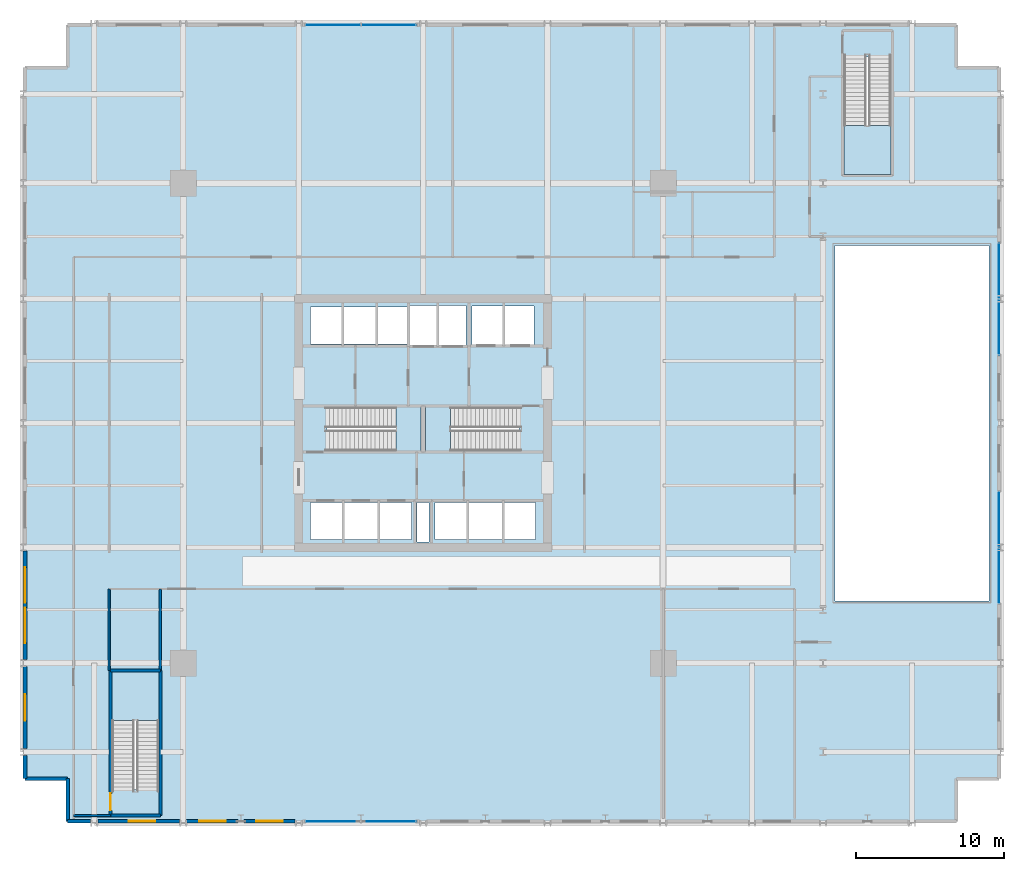
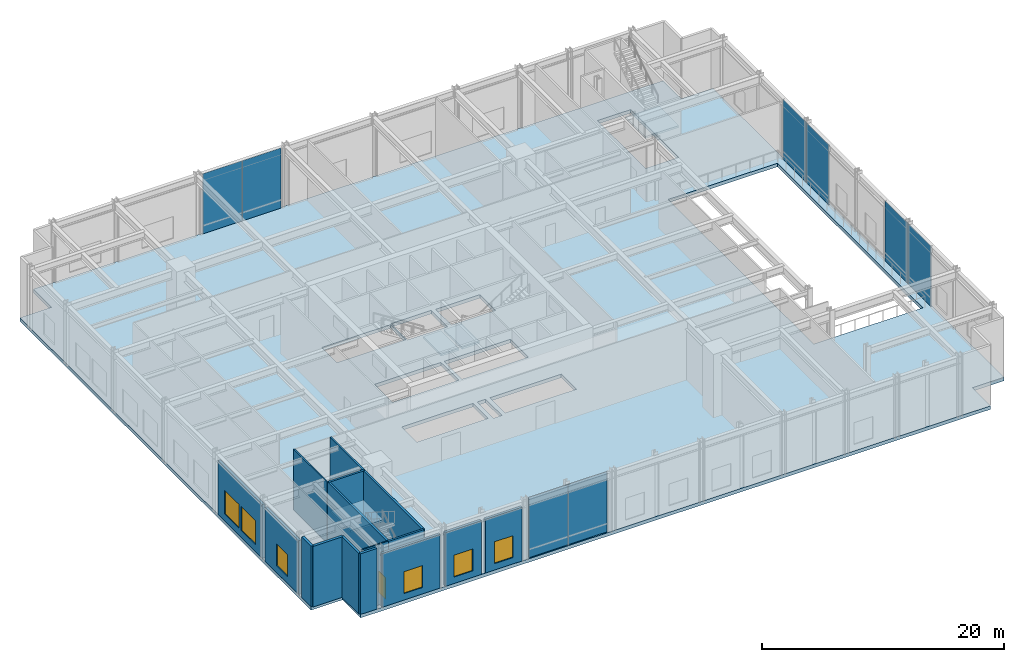
# One storey, part 10 of 20: 16 walls, 8 plates, 6 windows, 5 slabs, 1 door, 7 openings, 8 elements without a shape of their own.
"""IFC4 building model written with IfcOpenShell, lengths in metres."""

from ifc_helpers import new_model, si_unit, direction, frame, frame_2d, origin, origin_2d, place, context, subcontext, project, spatial, polyline, rectangle, outline, extrude, material, layer, layer_set, type_object, element, fill, aggregate, save


model = new_model("IFC4")

# Units and contexts
model_context = context("Model", 3, precision=1e-05, world=origin(), true_north=direction((0.0, 1.0)))
body_context = subcontext(model_context, "Body", "Model", "MODEL_VIEW")
ifc_project = project(units=[si_unit("LENGTHUNIT", "METRE"), si_unit("AREAUNIT", "SQUARE_METRE"), si_unit("VOLUMEUNIT", "CUBIC_METRE"), si_unit("PLANEANGLEUNIT", "RADIAN"), si_unit("MASSUNIT", "GRAM", prefix="KILO")], contexts=[model_context])

# Site, building, storey
site_placement = place(None, origin())
site = spatial("IfcSite", under=ifc_project, at=site_placement, CompositionType="ELEMENT")
building_placement = place(site_placement, origin())
building = spatial("IfcBuilding", under=site, at=building_placement, Name="Drelvath Grand Hotel", CompositionType="ELEMENT")
storey_placement = place(building_placement, frame((0.0, 0.0, 10.800048828125)))
storey = spatial("IfcBuildingStorey", under=building, at=storey_placement, Name="L02", CompositionType="ELEMENT", Elevation=10.800048828125)

# Slab
ifc_material_1 = material(Name="Concrete f'c 40 MPa", Category="concrete")
ifc_layer_1 = layer(ifc_material_1, 0.35009765625)
ifc_layer_set_1 = layer_set([ifc_layer_1], Name="Concrete f'c 40 MPa")
slab_type_1 = type_object("IfcSlabType", Name="Composite RC Floor Slab 350", PredefinedType="FLOOR", material=ifc_layer_set_1)
slab_1_placement = place(storey_placement, frame((0.0, 0.0, -0.35009765625)))
element("IfcSlab", 1, at=slab_1_placement, inside=storey, type_object=slab_type_1, Name="L02 Structural Floor Slab", PredefinedType="FLOOR", context=body_context, shape_type="SweptSolid", body=[
    extrude(outline(polyline([(-24.0, 0.0), (36.0, 0.0), (36.0, 3.0), (39.0, 3.0), (39.0, 51.0), (36.0, 51.0), (36.0, 54.0), (-24.0, 54.0), (-24.0, 51.0), (-27.0, 51.0), (-27.0, 3.0), (-24.0, 3.0), (-24.0, 0.0)]), holes=[polyline([(-6.47998046875, 25.1201171875), (-6.47998046875, 28.080078125), (-0.14990234375, 28.080078125), (-0.14990234375, 25.1201171875), (-6.47998046875, 25.1201171875)]), polyline([(0.14990234375, 25.1201171875), (0.14990234375, 28.080078125), (6.47998046875, 28.080078125), (6.47998046875, 25.1201171875), (0.14990234375, 25.1201171875)]), polyline([(-21.0, 2.27001953125), (-21.0, 10.199951171875), (-17.840087890625, 10.199951171875), (-17.840087890625, 2.27001953125), (-21.0, 2.27001953125)]), polyline([(28.419921875, 43.800048828125), (28.419921875, 51.72998046875), (31.580078125, 51.72998046875), (31.580078125, 43.800048828125), (28.419921875, 43.800048828125)]), polyline([(-7.60009765625, 19.14990234375), (-7.60009765625, 21.64990234375), (-0.800048828125, 21.64990234375), (-0.800048828125, 19.14990234375), (-7.60009765625, 19.14990234375)]), polyline([(-0.39990234375, 18.9599609375), (-0.39990234375, 21.639892578125), (0.39990234375, 21.639892578125), (0.39990234375, 18.9599609375), (-0.39990234375, 18.9599609375)]), polyline([(0.800048828125, 19.14990234375), (0.800048828125, 21.64990234375), (7.60009765625, 21.64990234375), (7.60009765625, 19.14990234375), (0.800048828125, 19.14990234375)]), polyline([(-7.60009765625, 32.35009765625), (-7.60009765625, 34.85009765625), (-1.02001953125, 34.85009765625), (-1.02001953125, 32.35009765625), (-7.60009765625, 32.35009765625)]), polyline([(-0.89990234375, 32.25), (-0.89990234375, 34.949951171875), (2.89990234375, 34.949951171875), (2.89990234375, 32.25), (-0.89990234375, 32.25)]), polyline([(3.300048828125, 32.300048828125), (3.300048828125, 34.89990234375), (7.5, 34.89990234375), (7.5, 32.300048828125), (3.300048828125, 32.300048828125)]), polyline([(27.800048828125, 15.0), (27.800048828125, 39.0), (38.199951171875, 39.0), (38.199951171875, 15.0), (27.800048828125, 15.0)])]), origin(), (0.0, 0.0, 1.0), 0.35009765625),
])

# Stair, slab
ifc_material_2 = material(Name="Concrete C40/50", Category="concrete")
stair_type_1 = type_object("IfcStairType", Name="Dogleg Exit Stair W1400-R177.8", PredefinedType="HALF_TURN_STAIR", material=ifc_material_2)
stair_1_placement = place(storey_placement, origin())
stair_1 = element("IfcStair", 2, at=stair_1_placement, inside=storey, type_object=stair_type_1, Name="L02 Core Exit Stair ST-1", PredefinedType="HALF_TURN_STAIR")
ifc_layer_2 = layer(ifc_material_2, 0.199951171875)
ifc_layer_set_2 = layer_set([ifc_layer_2], Name="Concrete C40/50")
slab_type_2 = type_object("IfcSlabType", Name="Concrete Stair Landing Slab 200", PredefinedType="LANDING", material=ifc_layer_set_2)
slab_2_placement = place(storey_placement, frame((0.0, 0.0, 3.0)))
slab_2 = element("IfcSlab", 3, at=slab_2_placement, type_object=slab_type_2, Name="ST-1 landing 1", PredefinedType="LANDING", context=body_context, shape_type="SweptSolid", body=[
    extrude(outline(polyline([(-1.840087890625, 25.1201171875), (-0.14990234375, 25.1201171875), (-0.14990234375, 28.080078125), (-1.840087890625, 28.080078125), (-1.840087890625, 25.1201171875)])), origin(), (0.0, 0.0, 1.0), 0.199951171875),
])
aggregate(stair_1, [slab_2])

stair_2_placement = place(storey_placement, origin())
stair_2 = element("IfcStair", 4, at=stair_2_placement, inside=storey, type_object=stair_type_1, Name="L02 Core Exit Stair ST-2", PredefinedType="HALF_TURN_STAIR")
slab_3_placement = place(storey_placement, frame((0.0, 0.0, 3.0)))
slab_3 = element("IfcSlab", 5, at=slab_3_placement, type_object=slab_type_2, Name="ST-2 landing 1", PredefinedType="LANDING", context=body_context, shape_type="SweptSolid", body=[
    extrude(outline(polyline([(1.840087890625, 28.080078125), (0.14990234375, 28.080078125), (0.14990234375, 25.1201171875), (1.840087890625, 25.1201171875), (1.840087890625, 28.080078125)])), origin(), (0.0, 0.0, 1.0), 0.199951171875),
])
aggregate(stair_2, [slab_3])

stair_type_2 = type_object("IfcStairType", Name="Dogleg Exit Stair W1500-R177.8", PredefinedType="HALF_TURN_STAIR", material=ifc_material_2)
stair_3_placement = place(storey_placement, origin())
stair_3 = element("IfcStair", 6, at=stair_3_placement, inside=storey, type_object=stair_type_2, Name="L02 Podium Exit Stair ST-3", PredefinedType="HALF_TURN_STAIR")
slab_4_placement = place(storey_placement, frame((0.0, 0.0, 3.0)))
slab_4 = element("IfcSlab", 7, at=slab_4_placement, type_object=slab_type_2, Name="ST-3 landing 1", PredefinedType="LANDING", context=body_context, shape_type="SweptSolid", body=[
    extrude(outline(polyline([(-17.840087890625, 6.909912109375), (-17.840087890625, 10.199951171875), (-21.0, 10.199951171875), (-21.0, 6.909912109375), (-17.840087890625, 6.909912109375)])), origin(), (0.0, 0.0, 1.0), 0.199951171875),
])
aggregate(stair_3, [slab_4])

stair_4_placement = place(storey_placement, origin())
stair_4 = element("IfcStair", 8, at=stair_4_placement, inside=storey, type_object=stair_type_2, Name="L02 Podium Exit Stair ST-4", PredefinedType="HALF_TURN_STAIR")
slab_5_placement = place(storey_placement, frame((0.0, 0.0, 3.0)))
slab_5 = element("IfcSlab", 9, at=slab_5_placement, type_object=slab_type_2, Name="ST-4 landing 1", PredefinedType="LANDING", context=body_context, shape_type="SweptSolid", body=[
    extrude(outline(polyline([(28.419921875, 47.090087890625), (28.419921875, 43.800048828125), (31.580078125, 43.800048828125), (31.580078125, 47.090087890625), (28.419921875, 47.090087890625)])), origin(), (0.0, 0.0, 1.0), 0.199951171875),
])
aggregate(stair_4, [slab_5])

# Curtain wall, plates
ifc_material_3 = material(Name="Dark Bronze Anodised Aluminium Frame", Category="aluminium")
ifc_layer_3 = layer(ifc_material_3, 0.199951171875)
ifc_layer_set_3 = layer_set([ifc_layer_3], Name="Dark Bronze Anodised Aluminium Frame")
curtain_wall_type = type_object("IfcCurtainWallType", Name="Stick Curtain Wall CW-01 Dark Bronze Podium", PredefinedType="NOTDEFINED", material=ifc_layer_set_3)
curtain_wall_1_placement = place(storey_placement, origin())
curtain_wall_1 = element("IfcCurtainWall", 10, at=curtain_wall_1_placement, inside=storey, type_object=curtain_wall_type, Name="L02 CW-01 Curtain Wall CW01-L02-EA1", PredefinedType="NOTDEFINED")
ifc_material_4 = material(Name="Low-E Double Silver Vision Glass Clear", Category="glass")
ifc_layer_4 = layer(ifc_material_4, 0.035888671875)
ifc_layer_set_4 = layer_set([ifc_layer_4], Name="Low-E Double Silver Vision Glass Clear")
plate_type = type_object("IfcPlateType", Name="Curtain Wall Vision Panel CW-01 36mm", PredefinedType="CURTAIN_PANEL", material=ifc_layer_set_4)
plate_1_placement = place(storey_placement, frame((38.8798828125, 20.5, 0.02001953125), z_axis=(0.0, 0.0, 1.0), x_axis=(0.0, -1.0, 0.0)))
plate_1 = element("IfcPlate", 11, at=plate_1_placement, type_object=plate_type, Name="CW01-L02-EA1 Glazed Panel 1", PredefinedType="CURTAIN_PANEL", context=body_context, shape_type="SweptSolid", body=[
    extrude(rectangle(XDim=3.760009765625, YDim=0.035888671875, at=origin_2d()), origin(), (0.0, 0.0, 1.0), 6.06005859375),
])
plate_2_placement = place(storey_placement, frame((38.8798828125, 16.699951171875, 0.02001953125), z_axis=(0.0, 0.0, 1.0), x_axis=(0.0, -1.0, 0.0)))
plate_2 = element("IfcPlate", 12, at=plate_2_placement, type_object=plate_type, Name="CW01-L02-EA1 Glazed Panel 2", PredefinedType="CURTAIN_PANEL", context=body_context, shape_type="SweptSolid", body=[
    extrude(rectangle(XDim=3.760009765625, YDim=0.035888671875, at=origin_2d()), origin(), (0.0, 0.0, 1.0), 6.06005859375),
])
aggregate(curtain_wall_1, [plate_1, plate_2])

curtain_wall_2_placement = place(storey_placement, origin())
curtain_wall_2 = element("IfcCurtainWall", 13, at=curtain_wall_2_placement, inside=storey, type_object=curtain_wall_type, Name="L02 CW-01 Curtain Wall CW01-L02-EA2", PredefinedType="NOTDEFINED")
plate_3_placement = place(storey_placement, frame((38.8798828125, 37.300048828125, 0.02001953125), z_axis=(0.0, 0.0, 1.0), x_axis=(0.0, -1.0, 0.0)))
plate_3 = element("IfcPlate", 14, at=plate_3_placement, type_object=plate_type, Name="CW01-L02-EA2 Glazed Panel 1", PredefinedType="CURTAIN_PANEL", context=body_context, shape_type="SweptSolid", body=[
    extrude(rectangle(XDim=3.760009765625, YDim=0.035888671875, at=origin_2d()), origin(), (0.0, 0.0, 1.0), 6.06005859375),
])
plate_4_placement = place(storey_placement, frame((38.8798828125, 33.5, 0.02001953125), z_axis=(0.0, 0.0, 1.0), x_axis=(0.0, -1.0, 0.0)))
plate_4 = element("IfcPlate", 15, at=plate_4_placement, type_object=plate_type, Name="CW01-L02-EA2 Glazed Panel 2", PredefinedType="CURTAIN_PANEL", context=body_context, shape_type="SweptSolid", body=[
    extrude(rectangle(XDim=3.760009765625, YDim=0.035888671875, at=origin_2d()), origin(), (0.0, 0.0, 1.0), 6.06005859375),
])
aggregate(curtain_wall_2, [plate_3, plate_4])

curtain_wall_3_placement = place(storey_placement, origin())
curtain_wall_3 = element("IfcCurtainWall", 16, at=curtain_wall_3_placement, inside=storey, type_object=curtain_wall_type, Name="L02 CW-01 Curtain Wall CW01-L02-SC1", PredefinedType="NOTDEFINED")
plate_5_placement = place(storey_placement, frame((-2.324951171875, 0.1201171875, 0.02001953125), z_axis=(0.0, 0.0, 1.0), x_axis=(-1.0, 0.0, 0.0)))
plate_5 = element("IfcPlate", 17, at=plate_5_placement, type_object=plate_type, Name="CW01-L02-SC1 Glazed Panel 1", PredefinedType="CURTAIN_PANEL", context=body_context, shape_type="SweptSolid", body=[
    extrude(rectangle(XDim=3.7099609375, YDim=0.035888671875, at=origin_2d()), origin(), (0.0, 0.0, 1.0), 6.06005859375),
])
plate_6_placement = place(storey_placement, frame((-6.074951171875, 0.1201171875, 0.02001953125), z_axis=(0.0, 0.0, 1.0), x_axis=(-1.0, 0.0, 0.0)))
plate_6 = element("IfcPlate", 18, at=plate_6_placement, type_object=plate_type, Name="CW01-L02-SC1 Glazed Panel 2", PredefinedType="CURTAIN_PANEL", context=body_context, shape_type="SweptSolid", body=[
    extrude(rectangle(XDim=3.7099609375, YDim=0.035888671875, at=origin_2d()), origin(), (0.0, 0.0, 1.0), 6.06005859375),
])
aggregate(curtain_wall_3, [plate_5, plate_6])

curtain_wall_4_placement = place(storey_placement, origin())
curtain_wall_4 = element("IfcCurtainWall", 19, at=curtain_wall_4_placement, inside=storey, type_object=curtain_wall_type, Name="L02 CW-01 Curtain Wall CW01-L02-NC1", PredefinedType="NOTDEFINED")
plate_7_placement = place(storey_placement, frame((-6.074951171875, 53.8798828125, 0.02001953125), z_axis=(0.0, 0.0, 1.0), x_axis=(1.0, 0.0, 0.0)))
plate_7 = element("IfcPlate", 20, at=plate_7_placement, type_object=plate_type, Name="CW01-L02-NC1 Glazed Panel 1", PredefinedType="CURTAIN_PANEL", context=body_context, shape_type="SweptSolid", body=[
    extrude(rectangle(XDim=3.7099609375, YDim=0.035888671875, at=origin_2d()), origin(), (0.0, 0.0, 1.0), 6.06005859375),
])
plate_8_placement = place(storey_placement, frame((-2.324951171875, 53.8798828125, 0.02001953125), z_axis=(0.0, 0.0, 1.0), x_axis=(1.0, 0.0, 0.0)))
plate_8 = element("IfcPlate", 21, at=plate_8_placement, type_object=plate_type, Name="CW01-L02-NC1 Glazed Panel 2", PredefinedType="CURTAIN_PANEL", context=body_context, shape_type="SweptSolid", body=[
    extrude(rectangle(XDim=3.7099609375, YDim=0.035888671875, at=origin_2d()), origin(), (0.0, 0.0, 1.0), 6.06005859375),
])
aggregate(curtain_wall_4, [plate_7, plate_8])

# Wall, opening, door
ifc_layer_5 = layer(ifc_material_2, 0.199951171875)
ifc_layer_set_5 = layer_set([ifc_layer_5], Name="Concrete C40/50")
wall_type_1 = type_object("IfcWallType", Name="Core Shaft Fire Wall 200", PredefinedType="SOLIDWALL", material=ifc_layer_set_5)
wall_1_placement = place(storey_placement, frame((-21.10009765625, 0.5, 0.0), z_axis=(0.0, 0.0, 1.0), x_axis=(0.0, 1.0, 0.0)))
wall_1 = element("IfcWall", 22, at=wall_1_placement, inside=storey, type_object=wall_type_1, Name="L02 Stair ST-3 West Wall", PredefinedType="SOLIDWALL", context=body_context, shape_type="SweptSolid", body=[
    extrude(rectangle(XDim=9.800048828125, YDim=0.199951171875, at=frame_2d((4.89990234375, 0.0))), origin(), (0.0, 0.0, 1.0), 6.099853515625),
])
opening_1_placement = place(wall_1_placement, frame((0.35009765625, 0.0, 0.0)))
opening_1 = element("IfcOpeningElement", 23, at=opening_1_placement, cuts=wall_1, Name="Opening D-L02-017", PredefinedType="OPENING", context=body_context, shape_type="SweptSolid", body=[
    extrude(rectangle(XDim=1.14990234375, YDim=2.14990234375, at=frame_2d((0.574951171875, 1.074951171875))), frame((0.0, 0.10986328125, 0.0), z_axis=(0.0, -1.0, 0.0), x_axis=(1.0, 0.0, 0.0)), (0.0, 0.0, 1.0), 0.219970703125),
])
ifc_material_5 = material(Name="Painted Steel S275", Category="steel")
door_type = type_object("IfcDoorType", Name="Podium Stairwell Fire Door 1150x2150", OperationType="NOTDEFINED", PredefinedType="DOOR", material=ifc_material_5)
door_placement = place(opening_1_placement, origin())
door = element("IfcDoor", 24, at=door_placement, inside=storey, type_object=door_type, Name="L02 Exit Stair ST-3 Entry Door", OperationType="SINGLE_SWING_LEFT", OverallHeight=2.14990234375, OverallWidth=1.14990234375, PredefinedType="DOOR", context=body_context, shape_type="SweptSolid", body=[
    extrude(rectangle(XDim=1.14990234375, YDim=2.14990234375, at=frame_2d((0.574951171875, 1.074951171875))), frame((0.0, 0.02490234375, 0.0), z_axis=(0.0, -1.0, 0.0), x_axis=(1.0, 0.0, 0.0)), (0.0, 0.0, 1.0), 0.050048828125),
])
fill(opening_1, door)

# Walls
wall_2_placement = place(storey_placement, frame((-17.739990234375, 10.300048828125, 0.0), z_axis=(0.0, 0.0, 1.0), x_axis=(0.0, -1.0, 0.0)))
element("IfcWall", 25, at=wall_2_placement, inside=storey, type_object=wall_type_1, Name="L02 Stair ST-3 East Wall", PredefinedType="SOLIDWALL", context=body_context, shape_type="SweptSolid", body=[
    extrude(rectangle(XDim=9.800048828125, YDim=0.199951171875, at=frame_2d((4.89990234375, 0.0))), origin(), (0.0, 0.0, 1.0), 6.099853515625),
])
for number, where, z_axis, x_axis, name in (
    (26, (-21.10009765625, 0.5, 0.0), (0.0, 0.0, 1.0), (1.0, 0.0, 0.0), "L02 Stair ST-3 South Wall"),
    (27, (-17.739990234375, 10.300048828125, 0.0), (0.0, 0.0, 1.0), (-1.0, 0.0, 0.0), "L02 Stair ST-3 North Wall"),
):
    element("IfcWall", number, at=place(storey_placement, frame(where, z_axis=z_axis, x_axis=x_axis)), inside=storey, type_object=wall_type_1, Name=name, PredefinedType="SOLIDWALL", context=body_context, shape_type="SweptSolid", body=[
        extrude(rectangle(XDim=3.360107421875, YDim=0.199951171875, at=frame_2d((1.68017578125, 0.0))), origin(), (0.0, 0.0, 1.0), 6.099853515625),
    ])
ifc_material_6 = material(Name="Gypsum Fireboard Partition")
ifc_layer_6 = layer(ifc_material_6, 0.135009765625)
ifc_layer_set_6 = layer_set([ifc_layer_6], Name="Gypsum Fireboard Partition")
wall_type_2 = type_object("IfcWallType", Name="Corridor Fire Barrier Wall 135", PredefinedType="PARTITIONING", material=ifc_layer_set_6)
wall_3_placement = place(storey_placement, frame((-21.199951171875, 10.300048828125, 0.0), z_axis=(0.0, 0.0, 1.0), x_axis=(0.0, 1.0, 0.0)))
element("IfcWall", 28, at=wall_3_placement, inside=storey, type_object=wall_type_2, Name="L02 ST-3 Spur South-East Wall", PredefinedType="PARTITIONING", context=body_context, shape_type="SweptSolid", body=[
    extrude(rectangle(XDim=5.5, YDim=0.135009765625, at=frame_2d((2.75, 0.0))), origin(), (0.0, 0.0, 1.0), 6.099853515625),
])
wall_4_placement = place(storey_placement, frame((-23.60009765625, 0.5, 0.0), z_axis=(0.0, 0.0, 1.0), x_axis=(1.0, 0.0, 0.0)))
element("IfcWall", 29, at=wall_4_placement, inside=storey, type_object=wall_type_2, Name="L02 ST-3 Spur South End", PredefinedType="PARTITIONING", context=body_context, shape_type="SweptSolid", body=[
    extrude(rectangle(XDim=2.5, YDim=0.135009765625, at=frame_2d((1.25, 0.0))), origin(), (0.0, 0.0, 1.0), 6.099853515625),
])
ifc_material_7 = material(Name="Insulated Granite Rainscreen Assembly", Category="masonry")
ifc_layer_7 = layer(ifc_material_7, 0.239990234375)
ifc_layer_set_7 = layer_set([ifc_layer_7], Name="Insulated Granite Rainscreen Assembly")
wall_type_3 = type_object("IfcWallType", Name="Podium Granite Rainscreen Exterior Wall 240", PredefinedType="STANDARD", material=ifc_layer_set_7)
wall_5_placement = place(storey_placement, frame((-26.8798828125, 3.0, 0.0), z_axis=(0.0, 0.0, 1.0), x_axis=(0.0, 1.0, 0.0)))
element("IfcWall", 30, at=wall_5_placement, inside=storey, type_object=wall_type_3, Name="L02 West Podium Granite Wall 1", PredefinedType="STANDARD", context=body_context, shape_type="SweptSolid", body=[
    extrude(rectangle(XDim=1.55908203125, YDim=0.239990234375, at=frame_2d((0.779541015625, 0.0))), origin(), (0.0, 0.0, 1.0), 6.099853515625),
])

# Wall, opening, window
wall_6_placement = place(storey_placement, frame((-26.8798828125, 5.041015625, 0.0), z_axis=(0.0, 0.0, 1.0), x_axis=(0.0, 1.0, 0.0)))
wall_6 = element("IfcWall", 31, at=wall_6_placement, inside=storey, type_object=wall_type_3, Name="L02 West Podium Granite Wall 2", PredefinedType="STANDARD", context=body_context, shape_type="SweptSolid", body=[
    extrude(rectangle(XDim=5.51806640625, YDim=0.239990234375, at=frame_2d((2.759033203125, 0.0))), origin(), (0.0, 0.0, 1.0), 5.404296875),
])
opening_2_placement = place(wall_6_placement, frame((1.859130859375, 0.0, 0.699951171875)))
opening_2 = element("IfcOpeningElement", 32, at=opening_2_placement, cuts=wall_6, Name="Opening W-02", PredefinedType="OPENING", context=body_context, shape_type="SweptSolid", body=[
    extrude(rectangle(XDim=1.800048828125, YDim=2.199951171875, at=frame_2d((0.89990234375, 1.10009765625))), frame((0.0, 0.1298828125, 0.0), z_axis=(0.0, -1.0, 0.0), x_axis=(1.0, 0.0, 0.0)), (0.0, 0.0, 1.0), 0.260009765625),
])
ifc_material_8 = material(Name="Bronze Anodised Low-E Triple Glazing", Category="glass")
window_type_1 = type_object("IfcWindowType", Name="Chicago Double-Pane Podium Window 1800x2400", PartitioningType="DOUBLE_PANEL_VERTICAL", PredefinedType="WINDOW", material=ifc_material_8)
window_1_placement = place(opening_2_placement, origin())
window_1 = element("IfcWindow", 33, at=window_1_placement, inside=storey, type_object=window_type_1, Name="L02 West Podium Window 2", OverallHeight=2.199951171875, OverallWidth=1.800048828125, PartitioningType="SINGLE_PANEL", PredefinedType="WINDOW", context=body_context, shape_type="SweptSolid", body=[
    extrude(rectangle(XDim=1.800048828125, YDim=2.199951171875, at=frame_2d((0.89990234375, 1.10009765625))), frame((0.0, 0.030029296875, 0.0), z_axis=(0.0, -1.0, 0.0), x_axis=(1.0, 0.0, 0.0)), (0.0, 0.0, 1.0), 0.06005859375),
])
fill(opening_2, window_1)

# Wall, openings, windows
wall_7_placement = place(storey_placement, frame((-26.8798828125, 11.041015625, 0.0), z_axis=(0.0, 0.0, 1.0), x_axis=(0.0, 1.0, 0.0)))
wall_7 = element("IfcWall", 34, at=wall_7_placement, inside=storey, type_object=wall_type_3, Name="L02 West Podium Granite Wall 3", PredefinedType="STANDARD", context=body_context, shape_type="SweptSolid", body=[
    extrude(rectangle(XDim=7.318115234375, YDim=0.239990234375, at=frame_2d((3.6591796875, 0.0))), origin(), (0.0, 0.0, 1.0), 5.404296875),
])
opening_3_placement = place(wall_7_placement, frame((1.10009765625, 0.0, 0.699951171875)))
opening_3 = element("IfcOpeningElement", 35, at=opening_3_placement, cuts=wall_7, Name="Opening W-01", PredefinedType="OPENING", context=body_context, shape_type="SweptSolid", body=[
    extrude(rectangle(XDim=2.39990234375, YDim=2.39990234375, at=frame_2d((1.199951171875, 1.199951171875))), frame((0.0, 0.1298828125, 0.0), z_axis=(0.0, -1.0, 0.0), x_axis=(1.0, 0.0, 0.0)), (0.0, 0.0, 1.0), 0.260009765625),
])
opening_4_placement = place(wall_7_placement, frame((3.818115234375, 0.0, 0.699951171875)))
opening_4 = element("IfcOpeningElement", 36, at=opening_4_placement, cuts=wall_7, Name="Opening W-01", PredefinedType="OPENING", context=body_context, shape_type="SweptSolid", body=[
    extrude(rectangle(XDim=2.39990234375, YDim=2.39990234375, at=frame_2d((1.199951171875, 1.199951171875))), frame((0.0, 0.1298828125, 0.0), z_axis=(0.0, -1.0, 0.0), x_axis=(1.0, 0.0, 0.0)), (0.0, 0.0, 1.0), 0.260009765625),
])
window_type_2 = type_object("IfcWindowType", Name="Chicago Triple-Pane Podium Window 2400x2600", PartitioningType="TRIPLE_PANEL_VERTICAL", PredefinedType="WINDOW", material=ifc_material_8)
window_2_placement = place(opening_3_placement, origin())
window_2 = element("IfcWindow", 37, at=window_2_placement, inside=storey, type_object=window_type_2, Name="L02 West Podium Window 3-1", OverallHeight=2.39990234375, OverallWidth=2.39990234375, PartitioningType="SINGLE_PANEL", PredefinedType="WINDOW", context=body_context, shape_type="SweptSolid", body=[
    extrude(rectangle(XDim=2.39990234375, YDim=2.39990234375, at=frame_2d((1.199951171875, 1.199951171875))), frame((0.0, 0.030029296875, 0.0), z_axis=(0.0, -1.0, 0.0), x_axis=(1.0, 0.0, 0.0)), (0.0, 0.0, 1.0), 0.06005859375),
])
fill(opening_3, window_2)
window_3_placement = place(opening_4_placement, origin())
window_3 = element("IfcWindow", 38, at=window_3_placement, inside=storey, type_object=window_type_2, Name="L02 West Podium Window 3-2", OverallHeight=2.39990234375, OverallWidth=2.39990234375, PartitioningType="SINGLE_PANEL", PredefinedType="WINDOW", context=body_context, shape_type="SweptSolid", body=[
    extrude(rectangle(XDim=2.39990234375, YDim=2.39990234375, at=frame_2d((1.199951171875, 1.199951171875))), frame((0.0, 0.030029296875, 0.0), z_axis=(0.0, -1.0, 0.0), x_axis=(1.0, 0.0, 0.0)), (0.0, 0.0, 1.0), 0.06005859375),
])
fill(opening_4, window_3)

# Wall
wall_8_placement = place(storey_placement, frame((-22.44091796875, 0.1201171875, 0.0), z_axis=(0.0, 0.0, 1.0), x_axis=(-1.0, 0.0, 0.0)))
element("IfcWall", 39, at=wall_8_placement, inside=storey, type_object=wall_type_3, Name="L02 South Podium Granite Wall 1", PredefinedType="STANDARD", context=body_context, shape_type="SweptSolid", body=[
    extrude(rectangle(XDim=1.55908203125, YDim=0.239990234375, at=frame_2d((0.779541015625, 0.0))), origin(), (0.0, 0.0, 1.0), 6.099853515625),
])

# Wall, opening, window
wall_9_placement = place(storey_placement, frame((-16.44091796875, 0.1201171875, 0.0), z_axis=(0.0, 0.0, 1.0), x_axis=(-1.0, 0.0, 0.0)))
wall_9 = element("IfcWall", 40, at=wall_9_placement, inside=storey, type_object=wall_type_3, Name="L02 South Podium Granite Wall 2", PredefinedType="STANDARD", context=body_context, shape_type="SweptSolid", body=[
    extrude(rectangle(XDim=5.51806640625, YDim=0.239990234375, at=frame_2d((2.759033203125, 0.0))), origin(), (0.0, 0.0, 1.0), 5.404296875),
])
opening_5_placement = place(wall_9_placement, frame((1.64990234375, 0.0, 0.64990234375)))
opening_5 = element("IfcOpeningElement", 41, at=opening_5_placement, cuts=wall_9, Name="Opening W-02", PredefinedType="OPENING", context=body_context, shape_type="SweptSolid", body=[
    extrude(rectangle(XDim=1.800048828125, YDim=2.199951171875, at=frame_2d((0.89990234375, 1.10009765625))), frame((0.0, 0.1298828125, 0.0), z_axis=(0.0, -1.0, 0.0), x_axis=(1.0, 0.0, 0.0)), (0.0, 0.0, 1.0), 0.260009765625),
])
window_4_placement = place(opening_5_placement, origin())
window_4 = element("IfcWindow", 42, at=window_4_placement, inside=storey, type_object=window_type_1, Name="L02 South Chicago Window 2-1", OverallHeight=2.199951171875, OverallWidth=1.800048828125, PartitioningType="SINGLE_PANEL", PredefinedType="WINDOW", context=body_context, shape_type="SweptSolid", body=[
    extrude(rectangle(XDim=1.800048828125, YDim=2.199951171875, at=frame_2d((0.89990234375, 1.10009765625))), frame((0.0, 0.030029296875, 0.0), z_axis=(0.0, -1.0, 0.0), x_axis=(1.0, 0.0, 0.0)), (0.0, 0.0, 1.0), 0.06005859375),
])
fill(opening_5, window_4)

wall_10_placement = place(storey_placement, frame((-12.49267578125, 0.1201171875, 0.0), z_axis=(0.0, 0.0, 1.0), x_axis=(-1.0, 0.0, 0.0)))
wall_10 = element("IfcWall", 43, at=wall_10_placement, inside=storey, type_object=wall_type_3, Name="L02 South Podium Granite Wall 3", PredefinedType="STANDARD", context=body_context, shape_type="SweptSolid", body=[
    extrude(rectangle(XDim=3.46630859375, YDim=0.239990234375, at=frame_2d((1.733154296875, 0.0))), origin(), (0.0, 0.0, 1.0), 5.404296875),
])
opening_6_placement = place(wall_10_placement, frame((0.833251953125, 0.0, 0.64990234375)))
opening_6 = element("IfcOpeningElement", 44, at=opening_6_placement, cuts=wall_10, Name="Opening W-02", PredefinedType="OPENING", context=body_context, shape_type="SweptSolid", body=[
    extrude(rectangle(XDim=1.800048828125, YDim=2.199951171875, at=frame_2d((0.89990234375, 1.10009765625))), frame((0.0, 0.1298828125, 0.0), z_axis=(0.0, -1.0, 0.0), x_axis=(1.0, 0.0, 0.0)), (0.0, 0.0, 1.0), 0.260009765625),
])
window_5_placement = place(opening_6_placement, origin())
window_5 = element("IfcWindow", 45, at=window_5_placement, inside=storey, type_object=window_type_1, Name="L02 South Chicago Window 3", OverallHeight=2.199951171875, OverallWidth=1.800048828125, PartitioningType="SINGLE_PANEL", PredefinedType="WINDOW", context=body_context, shape_type="SweptSolid", body=[
    extrude(rectangle(XDim=1.800048828125, YDim=2.199951171875, at=frame_2d((0.89990234375, 1.10009765625))), frame((0.0, 0.030029296875, 0.0), z_axis=(0.0, -1.0, 0.0), x_axis=(1.0, 0.0, 0.0)), (0.0, 0.0, 1.0), 0.06005859375),
])
fill(opening_6, window_5)

wall_11_placement = place(storey_placement, frame((-8.640869140625, 0.1201171875, 0.0), z_axis=(0.0, 0.0, 1.0), x_axis=(-1.0, 0.0, 0.0)))
wall_11 = element("IfcWall", 46, at=wall_11_placement, inside=storey, type_object=wall_type_3, Name="L02 South Podium Granite Wall 4", PredefinedType="STANDARD", context=body_context, shape_type="SweptSolid", body=[
    extrude(rectangle(XDim=3.466552734375, YDim=0.239990234375, at=frame_2d((1.7333984375, 0.0))), origin(), (0.0, 0.0, 1.0), 5.404296875),
])
opening_7_placement = place(wall_11_placement, frame((0.833251953125, 0.0, 0.64990234375)))
opening_7 = element("IfcOpeningElement", 47, at=opening_7_placement, cuts=wall_11, Name="Opening W-02", PredefinedType="OPENING", context=body_context, shape_type="SweptSolid", body=[
    extrude(rectangle(XDim=1.800048828125, YDim=2.199951171875, at=frame_2d((0.89990234375, 1.10009765625))), frame((0.0, 0.1298828125, 0.0), z_axis=(0.0, -1.0, 0.0), x_axis=(1.0, 0.0, 0.0)), (0.0, 0.0, 1.0), 0.260009765625),
])
window_6_placement = place(opening_7_placement, origin())
window_6 = element("IfcWindow", 48, at=window_6_placement, inside=storey, type_object=window_type_1, Name="L02 South Chicago Window 4", OverallHeight=2.199951171875, OverallWidth=1.800048828125, PartitioningType="SINGLE_PANEL", PredefinedType="WINDOW", context=body_context, shape_type="SweptSolid", body=[
    extrude(rectangle(XDim=1.800048828125, YDim=2.199951171875, at=frame_2d((0.89990234375, 1.10009765625))), frame((0.0, 0.030029296875, 0.0), z_axis=(0.0, -1.0, 0.0), x_axis=(1.0, 0.0, 0.0)), (0.0, 0.0, 1.0), 0.06005859375),
])
fill(opening_7, window_6)

# Walls
for number, where, z_axis, x_axis, name in (
    (49, (-24.0, 0.1201171875, 0.0), (0.0, 0.0, 1.0), (0.0, 1.0, 0.0), "L02 Podium Corner Return Wall CSW1"),
    (50, (-24.0, 3.0, 0.0), (0.0, 0.0, 1.0), (-1.0, 0.0, 0.0), "L02 Podium Corner Return Wall CSW2"),
):
    element("IfcWall", number, at=place(storey_placement, frame(where, z_axis=z_axis, x_axis=x_axis)), inside=storey, type_object=wall_type_3, Name=name, PredefinedType="STANDARD", context=body_context, shape_type="SweptSolid", body=[
        extrude(rectangle(XDim=2.8798828125, YDim=0.239990234375, at=frame_2d((1.43994140625, 0.0))), origin(), (0.0, 0.0, 1.0), 6.099853515625),
    ])
ifc_material_9 = material(Name="Gypsum Acoustic Partition")
ifc_layer_8 = layer(ifc_material_9, 0.1650390625)
ifc_layer_set_8 = layer_set([ifc_layer_8], Name="Gypsum Acoustic Partition")
wall_type_4 = type_object("IfcWallType", Name="Suite Demising Wall 165", PredefinedType="PARTITIONING", material=ifc_layer_set_8)
wall_12_placement = place(storey_placement, frame((-17.739990234375, 10.300048828125, 0.0), z_axis=(0.0, 0.0, 1.0), x_axis=(0.0, 1.0, 0.0)))
element("IfcWall", 51, at=wall_12_placement, inside=storey, type_object=wall_type_4, Name="L02 ST-3 East Demising Wall", PredefinedType="PARTITIONING", context=body_context, shape_type="SweptSolid", body=[
    extrude(rectangle(XDim=5.5, YDim=0.1650390625, at=frame_2d((2.75, 0.0))), origin(), (0.0, 0.0, 1.0), 6.099853515625),
])

save(model, "model.ifc")
